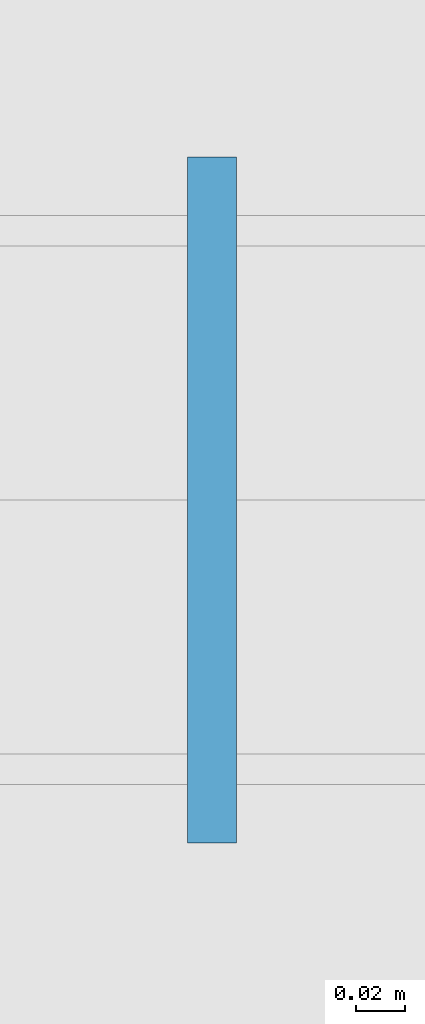
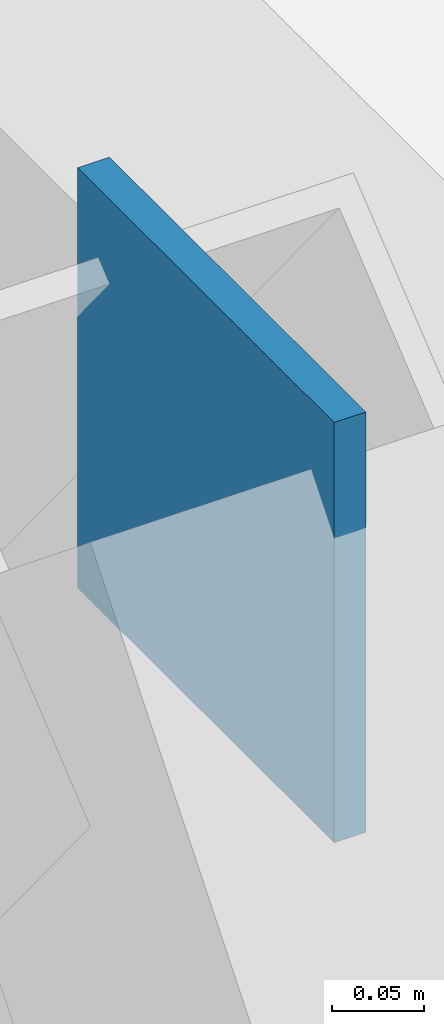
# One storey, part 27 of 58: 1 plate.
"""IFC4 building model written with IfcOpenShell, lengths in metres."""

from ifc_helpers import new_model, si_unit, direction, frame, origin, origin_2d, place, context, subcontext, project, spatial, rectangle, extrude, material, layer, layer_set, type_object, element, save


model = new_model("IFC4")

# Units and contexts
model_context = context("Model", 3, precision=1e-05, world=origin(), true_north=direction((0.0, 1.0)))
body_context = subcontext(model_context, "Body", "Model", "MODEL_VIEW")
ifc_project = project(units=[si_unit("LENGTHUNIT", "METRE"), si_unit("AREAUNIT", "SQUARE_METRE"), si_unit("VOLUMEUNIT", "CUBIC_METRE"), si_unit("PLANEANGLEUNIT", "RADIAN"), si_unit("MASSUNIT", "GRAM", prefix="KILO")], contexts=[model_context])

# Site, building, storey
site_placement = place(None, origin())
site = spatial("IfcSite", under=ifc_project, at=site_placement, CompositionType="ELEMENT")
building_placement = place(site_placement, origin())
building = spatial("IfcBuilding", under=site, at=building_placement, Name="Barlavento Convention Centre", CompositionType="ELEMENT")
storey_placement = place(building_placement, origin())
storey = spatial("IfcBuildingStorey", under=building, at=storey_placement, Name="L00", CompositionType="ELEMENT", Elevation=0.0)

# Plate
ifc_material = material(Name="Steel S355", Category="steel")
ifc_layer = layer(ifc_material, 0.02001953125)
ifc_layer_set = layer_set([ifc_layer], Name="STR-PLT-CAP-280")
plate_type = type_object("IfcPlateType", Name="STR-PLT-CAP-280", PredefinedType="SHEET", material=ifc_layer_set)
plate_placement = place(storey_placement, frame((126.0, 58.5, 5.31982421875), z_axis=(0.0, 0.0, 1.0), x_axis=(1.0, 0.0, 0.0)))
element("IfcPlate", 1, at=plate_placement, inside=storey, type_object=plate_type, Name="Chevron brace gusset splice plate EC03", PredefinedType="SHEET", context=body_context, shape_type="SweptSolid", body=[
    extrude(rectangle(XDim=0.02001953125, YDim=0.280029296875, at=origin_2d()), origin(), (0.0, 0.0, 1.0), 0.280029296875),
])

save(model, "model.ifc")
